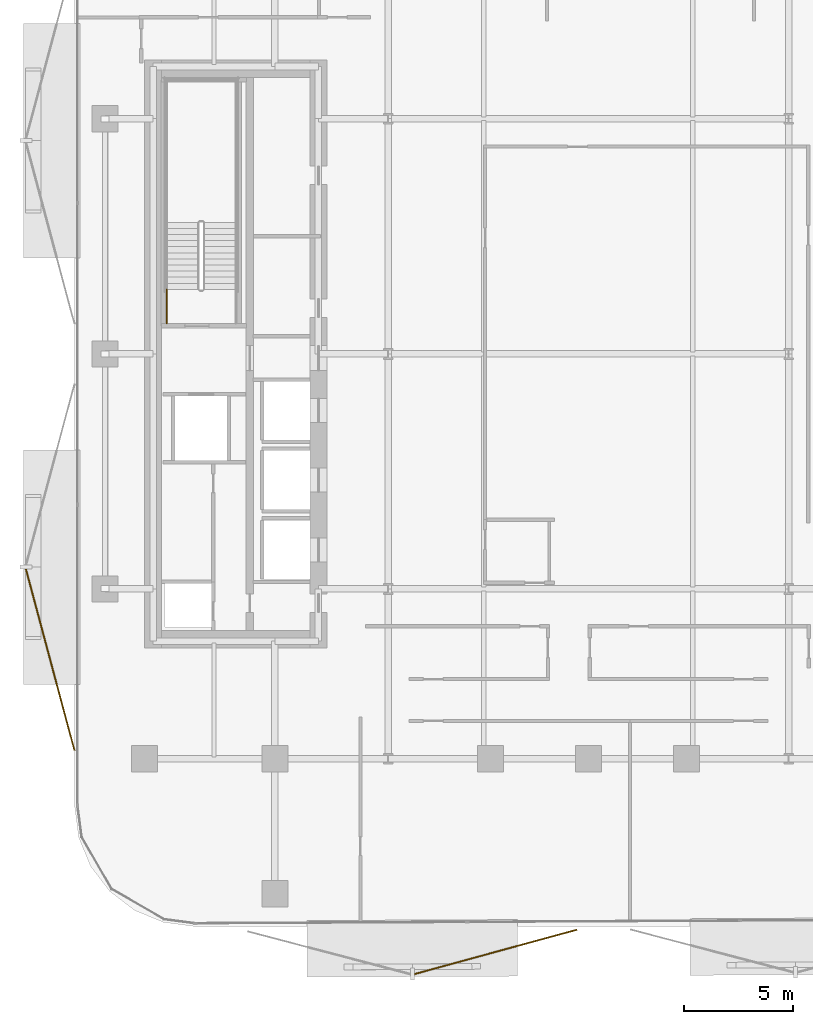
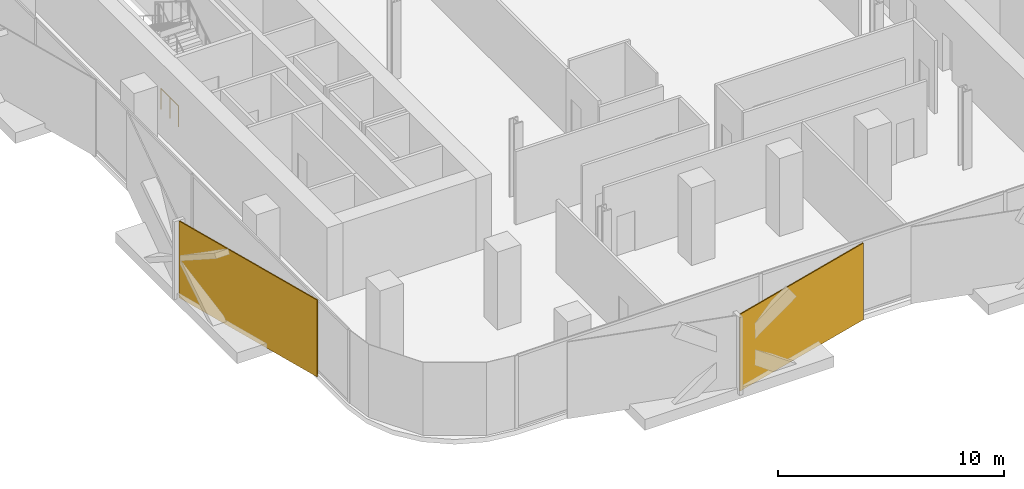
# One storey, part 11 of 15: 2 coverings, 1 railing.
"""IFC4 building model written with IfcOpenShell, lengths in metres."""

from ifc_helpers import new_model, si_unit, direction, frame, origin, origin_2d, place, context, subcontext, project, spatial, rectangle, circle, extrude, material, layer, layer_set, type_object, element, save


model = new_model("IFC4")

# Units and contexts
model_context = context("Model", 3, precision=1e-05, world=origin(), true_north=direction((0.0, 1.0)))
body_context = subcontext(model_context, "Body", "Model", "MODEL_VIEW")
ifc_project = project(units=[si_unit("LENGTHUNIT", "METRE"), si_unit("AREAUNIT", "SQUARE_METRE"), si_unit("VOLUMEUNIT", "CUBIC_METRE"), si_unit("PLANEANGLEUNIT", "RADIAN"), si_unit("MASSUNIT", "GRAM", prefix="KILO")], contexts=[model_context])

# Site, building, storey
site_placement = place(None, origin())
site = spatial("IfcSite", under=ifc_project, at=site_placement, CompositionType="ELEMENT")
building_placement = place(site_placement, origin())
building = spatial("IfcBuilding", under=site, at=building_placement, Name="Khairoan Windgate Tower", CompositionType="ELEMENT")
storey_placement = place(building_placement, frame((0.0, 0.0, 122.60009765625)))
storey = spatial("IfcBuildingStorey", under=building, at=storey_placement, Name="L28", CompositionType="ELEMENT", Elevation=122.60009765625)

# Coverings
ifc_material_1 = material(Name="Anodised Bronze Aluminium 6063-T6", Category="aluminium")
ifc_layer = layer(ifc_material_1, 0.054931640625, Name="Anodised Bronze Aluminium 6063-T6")
ifc_layer_set = layer_set([ifc_layer], Name="Anodised Bronze Aluminium 6063-T6")
covering_type = type_object("IfcCoveringType", Name="Perforated Bronze-Ceramic Folded Solar Screen Cladding BSC-1", PredefinedType="CLADDING", material=ifc_layer_set)
covering_1_placement = place(storey_placement, frame((-4.261962890625, -27.470947265625, -0.10009765625), z_axis=(0.0, 0.0, 1.0), x_axis=(-0.964649468762, -0.263536339841, 0.0)))
element("IfcCovering", 1, at=covering_1_placement, inside=storey, type_object=covering_type, Name="L28 Folded Bronze Solar Screen Facet 170L", PredefinedType="CLADDING", context=body_context, shape_type="SweptSolid", body=[
    extrude(rectangle(XDim=7.739013671875, YDim=0.054931640625, at=origin_2d()), origin(), (0.0, 0.0, 1.0), 4.139892578125),
])
covering_2_placement = place(storey_placement, frame((-24.724609375, -14.048583984375, -0.10009765625), z_axis=(0.0, 0.0, 1.0), x_axis=(-0.258819045103, 0.965925826289, 0.0)))
element("IfcCovering", 2, at=covering_2_placement, inside=storey, type_object=covering_type, Name="L28 Folded Bronze Solar Screen Facet 171L", PredefinedType="CLADDING", context=body_context, shape_type="SweptSolid", body=[
    extrude(rectangle(XDim=8.6201171875, YDim=0.054931640625, at=origin_2d()), origin(), (0.0, 0.0, 1.0), 4.139892578125),
])

# Railing
ifc_material_2 = material(Name="Steel S355", Category="steel")
railing_type = type_object("IfcRailingType", Name="Stairwell Safety Guardrail SGR-1150", PredefinedType="GUARDRAIL", material=ifc_material_2)
railing_placement = place(storey_placement, frame((-19.3701171875, 1.39990234375, 0.0)))
element("IfcRailing", 3, at=railing_placement, inside=storey, type_object=railing_type, Name="L28 ST2 stair guard 9", PredefinedType="GUARDRAIL", context=body_context, shape_type="SweptSolid", body=[
    extrude(circle(Radius=0.02392578125, at=origin_2d()), frame((0.0, 0.0, 1.1259765625), z_axis=(0.0, 1.0, 0.0), x_axis=(-1.0, 0.0, 0.0)), (0.0, 0.0, 1.0), 1.56005859375),
    extrude(circle(Radius=0.02099609375, at=origin_2d()), origin(), (0.0, 0.0, 1.0), 1.101806640625),
    extrude(circle(Radius=0.02099609375, at=origin_2d()), frame((0.0, 0.780029296875, 0.0)), (0.0, 0.0, 1.0), 1.101806640625),
    extrude(circle(Radius=0.02099609375, at=origin_2d()), frame((0.0, 1.56005859375, 0.0)), (0.0, 0.0, 1.0), 1.101806640625),
])

save(model, "model.ifc")
